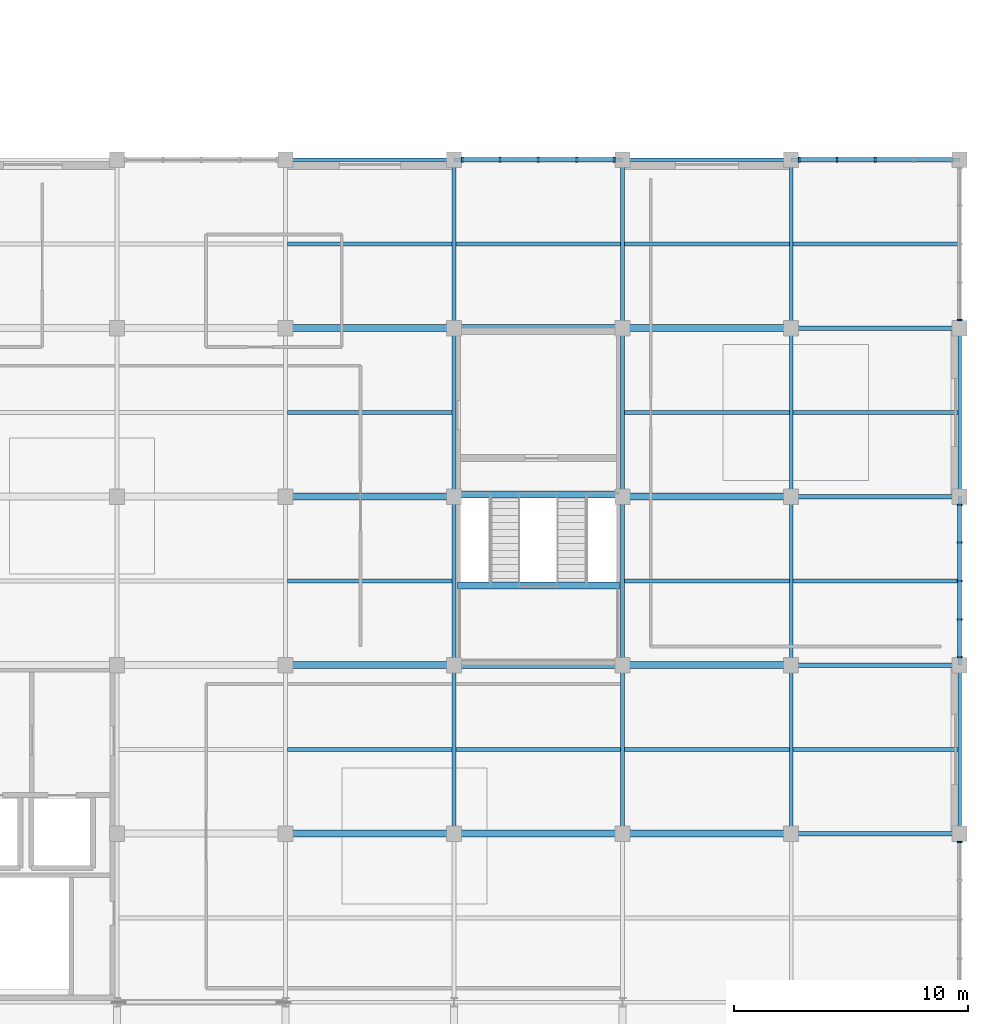
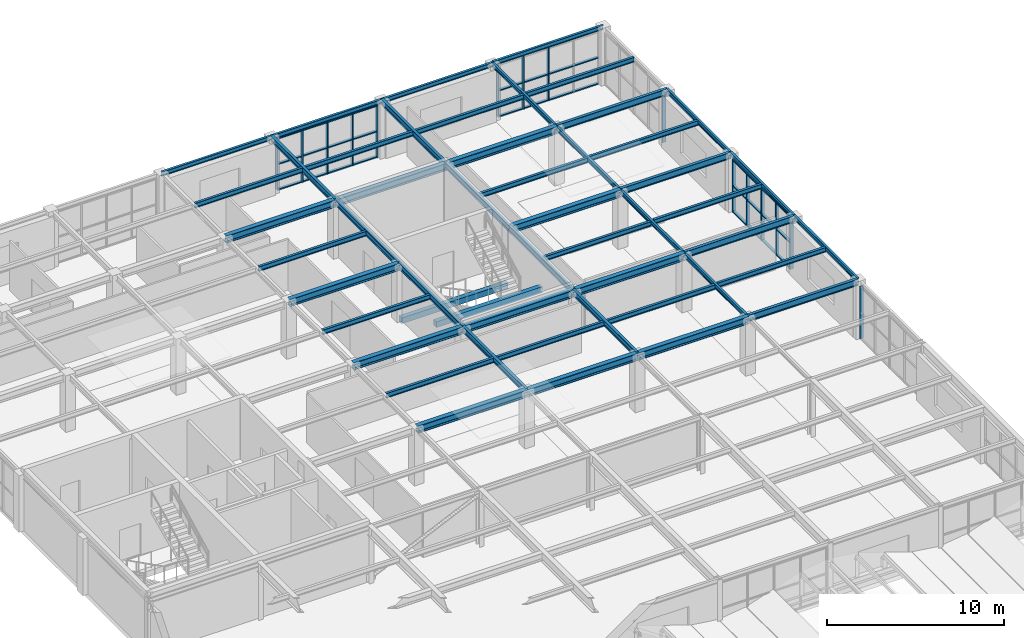
# One storey, part 40 of 83: 50 beams, 23 members, 5 elements without a shape of their own.
"""IFC4 building model written with IfcOpenShell, lengths in metres."""

from ifc_helpers import new_model, si_unit, direction, frame, origin, origin_2d, place, context, subcontext, project, spatial, rectangle, i_section, extrude, material, material_profile, profile_set, type_object, element, aggregate, save


model = new_model("IFC4")

# Units and contexts
model_context = context("Model", 3, precision=1e-05, world=origin(), true_north=direction((0.0, 1.0)))
body_context = subcontext(model_context, "Body", "Model", "MODEL_VIEW")
ifc_project = project(units=[si_unit("LENGTHUNIT", "METRE"), si_unit("AREAUNIT", "SQUARE_METRE"), si_unit("VOLUMEUNIT", "CUBIC_METRE"), si_unit("PLANEANGLEUNIT", "RADIAN"), si_unit("MASSUNIT", "GRAM", prefix="KILO")], contexts=[model_context])

# Site, building, storey
site_placement = place(None, origin())
site = spatial("IfcSite", under=ifc_project, at=site_placement, CompositionType="ELEMENT")
building_placement = place(site_placement, origin())
building = spatial("IfcBuilding", under=site, at=building_placement, Name="Leyfeld Transit Interchange", CompositionType="ELEMENT")
storey_placement = place(building_placement, frame((0.0, 0.0, 5.39990234375)))
storey = spatial("IfcBuildingStorey", under=building, at=storey_placement, Name="L01", CompositionType="ELEMENT", Elevation=5.39990234375)

# Beams
ifc_material_1 = material(Name="Concrete C35/45", Category="concrete")
ifc_material_profile_1 = material_profile(ifc_material_1, rectangle(XDim=0.300048828125, YDim=0.39990234375, at=origin_2d()), Name="RC 400x300")
ifc_profile_set_1 = profile_set([ifc_material_profile_1], Name="Concrete C35/45")
beam_type_1 = type_object("IfcBeamType", Name="BM-RC-400x300", PredefinedType="LINTEL", material=ifc_profile_set_1)
for number, where, z_axis, x_axis, name in (
    (1, (165.735107421875, 79.300048828125, -0.199951171875), (1.0, 0.0, 0.0), (0.0, 1.0, 0.0), "Core K5 Floor Landing Corbel L01"),
    (2, (165.735107421875, 75.39990234375, 1.900146484375), (1.0, 0.0, 0.0), (0.0, 1.0, 0.0), "Stair ST-05 L01 Half-Landing Corbel"),
):
    element("IfcBeam", number, at=place(storey_placement, frame(where, z_axis=z_axis, x_axis=x_axis)), inside=storey, type_object=beam_type_1, Name=name, PredefinedType="LINTEL", context=body_context, shape_type="SweptSolid", body=[
        extrude(rectangle(XDim=0.300048828125, YDim=0.39990234375, at=origin_2d()), origin(), (0.0, 0.0, 1.0), 6.929931640625),
    ])
ifc_material_2 = material(Name="Steel S355J2", Category="steel")
ifc_material_profile_2 = material_profile(ifc_material_2, i_section(OverallWidth=0.300048828125, OverallDepth=0.5, WebThickness=0.014404296875, FlangeThickness=0.028076171875, FilletRadius=0.027099609375, at=origin_2d()), Name="HEB 500")
ifc_profile_set_2 = profile_set([ifc_material_profile_2], Name="Steel S355J2")
beam_type_2 = type_object("IfcBeamType", Name="BM-STL-HEB500", PredefinedType="JOIST", material=ifc_profile_set_2)
beam_1_placement = place(storey_placement, frame((158.39990234375, 64.800048828125, 3.650146484375), z_axis=(1.0, 0.0, 0.0), x_axis=(0.0, 1.0, 0.0)))
element("IfcBeam", 3, at=beam_1_placement, inside=storey, type_object=beam_type_2, Name="Beam BM-L01-1584_0648-1656_0648", PredefinedType="JOIST", context=body_context, shape_type="SweptSolid", body=[
    extrude(i_section(OverallWidth=0.300048828125, OverallDepth=0.5, WebThickness=0.014404296875, FlangeThickness=0.028076171875, FilletRadius=0.027099609375, at=origin_2d()), origin(), (0.0, 0.0, 1.0), 7.2001953125),
])
for number, where, z_axis, x_axis, name in (
    (4, (165.60009765625, 64.800048828125, 3.650146484375), (1.0, 0.0, 0.0), (0.0, 1.0, 0.0), "Beam BM-L01-1656_0648-1728_0648"),
    (5, (172.800048828125, 64.800048828125, 3.650146484375), (1.0, 0.0, 0.0), (0.0, 1.0, 0.0), "Beam BM-L01-1728_0648-1800_0648"),
):
    element("IfcBeam", number, at=place(storey_placement, frame(where, z_axis=z_axis, x_axis=x_axis)), inside=storey, type_object=beam_type_2, Name=name, PredefinedType="JOIST", context=body_context, shape_type="SweptSolid", body=[
        extrude(i_section(OverallWidth=0.300048828125, OverallDepth=0.5, WebThickness=0.014404296875, FlangeThickness=0.028076171875, FilletRadius=0.027099609375, at=origin_2d()), origin(), (0.0, 0.0, 1.0), 7.199951171875),
    ])
beam_2_placement = place(storey_placement, frame((158.39990234375, 72.0, 3.650146484375), z_axis=(1.0, 0.0, 0.0), x_axis=(0.0, 1.0, 0.0)))
element("IfcBeam", 6, at=beam_2_placement, inside=storey, type_object=beam_type_2, Name="Beam BM-L01-1584_0720-1656_0720", PredefinedType="JOIST", context=body_context, shape_type="SweptSolid", body=[
    extrude(i_section(OverallWidth=0.300048828125, OverallDepth=0.5, WebThickness=0.014404296875, FlangeThickness=0.028076171875, FilletRadius=0.027099609375, at=origin_2d()), origin(), (0.0, 0.0, 1.0), 7.2001953125),
])
for number, where, z_axis, x_axis, name in (
    (7, (165.60009765625, 72.0, 3.650146484375), (1.0, 0.0, 0.0), (0.0, 1.0, 0.0), "Beam BM-L01-1656_0720-1728_0720"),
    (8, (172.800048828125, 72.0, 3.650146484375), (1.0, 0.0, 0.0), (0.0, 1.0, 0.0), "Beam BM-L01-1728_0720-1800_0720"),
):
    element("IfcBeam", number, at=place(storey_placement, frame(where, z_axis=z_axis, x_axis=x_axis)), inside=storey, type_object=beam_type_2, Name=name, PredefinedType="JOIST", context=body_context, shape_type="SweptSolid", body=[
        extrude(i_section(OverallWidth=0.300048828125, OverallDepth=0.5, WebThickness=0.014404296875, FlangeThickness=0.028076171875, FilletRadius=0.027099609375, at=origin_2d()), origin(), (0.0, 0.0, 1.0), 7.199951171875),
    ])
beam_3_placement = place(storey_placement, frame((158.39990234375, 79.199951171875, 3.650146484375), z_axis=(1.0, 0.0, 0.0), x_axis=(0.0, 1.0, 0.0)))
element("IfcBeam", 9, at=beam_3_placement, inside=storey, type_object=beam_type_2, Name="Beam BM-L01-1584_0792-1656_0792", PredefinedType="JOIST", context=body_context, shape_type="SweptSolid", body=[
    extrude(i_section(OverallWidth=0.300048828125, OverallDepth=0.5, WebThickness=0.014404296875, FlangeThickness=0.028076171875, FilletRadius=0.027099609375, at=origin_2d()), origin(), (0.0, 0.0, 1.0), 7.2001953125),
])
beam_4_placement = place(storey_placement, frame((172.800048828125, 79.199951171875, 3.650146484375), z_axis=(1.0, 0.0, 0.0), x_axis=(0.0, 1.0, 0.0)))
element("IfcBeam", 10, at=beam_4_placement, inside=storey, type_object=beam_type_2, Name="Beam BM-L01-1728_0792-1800_0792", PredefinedType="JOIST", context=body_context, shape_type="SweptSolid", body=[
    extrude(i_section(OverallWidth=0.300048828125, OverallDepth=0.5, WebThickness=0.014404296875, FlangeThickness=0.028076171875, FilletRadius=0.027099609375, at=origin_2d()), origin(), (0.0, 0.0, 1.0), 7.199951171875),
])
beam_5_placement = place(storey_placement, frame((158.39990234375, 86.39990234375, 3.650146484375), z_axis=(1.0, 0.0, 0.0), x_axis=(0.0, 1.0, 0.0)))
element("IfcBeam", 11, at=beam_5_placement, inside=storey, type_object=beam_type_2, Name="Beam BM-L01-1584_0864-1656_0864", PredefinedType="JOIST", context=body_context, shape_type="SweptSolid", body=[
    extrude(i_section(OverallWidth=0.300048828125, OverallDepth=0.5, WebThickness=0.014404296875, FlangeThickness=0.028076171875, FilletRadius=0.027099609375, at=origin_2d()), origin(), (0.0, 0.0, 1.0), 7.2001953125),
])
for number, where, z_axis, x_axis, name in (
    (12, (165.60009765625, 86.39990234375, 3.650146484375), (1.0, 0.0, 0.0), (0.0, 1.0, 0.0), "Beam BM-L01-1656_0864-1728_0864"),
    (13, (172.800048828125, 86.39990234375, 3.650146484375), (1.0, 0.0, 0.0), (0.0, 1.0, 0.0), "Beam BM-L01-1728_0864-1800_0864"),
):
    element("IfcBeam", number, at=place(storey_placement, frame(where, z_axis=z_axis, x_axis=x_axis)), inside=storey, type_object=beam_type_2, Name=name, PredefinedType="JOIST", context=body_context, shape_type="SweptSolid", body=[
        extrude(i_section(OverallWidth=0.300048828125, OverallDepth=0.5, WebThickness=0.014404296875, FlangeThickness=0.028076171875, FilletRadius=0.027099609375, at=origin_2d()), origin(), (0.0, 0.0, 1.0), 7.199951171875),
    ])
ifc_material_profile_3 = material_profile(ifc_material_2, i_section(OverallWidth=0.14990234375, OverallDepth=0.300048828125, WebThickness=0.007080078125, FlangeThickness=0.0107421875, FilletRadius=0.014892578125, at=origin_2d()), Name="IPE 300")
ifc_profile_set_3 = profile_set([ifc_material_profile_3], Name="Steel S355J2")
beam_type_3 = type_object("IfcBeamType", Name="BM-STL-IPE300", PredefinedType="SPANDREL", material=ifc_profile_set_3)
for number, where, z_axis, x_axis, name in (
    (14, (180.0, 64.800048828125, 3.75), (0.0, 1.0, 0.0), (-1.0, 0.0, 0.0), "Beam BM-L01-1800_0648-1800_0720"),
    (15, (180.0, 72.0, 3.75), (0.0, 1.0, 0.0), (-1.0, 0.0, 0.0), "Beam BM-L01-1800_0720-1800_0792"),
    (16, (180.0, 79.199951171875, 3.75), (0.0, 1.0, 0.0), (-1.0, 0.0, 0.0), "Beam BM-L01-1800_0792-1800_0864"),
):
    element("IfcBeam", number, at=place(storey_placement, frame(where, z_axis=z_axis, x_axis=x_axis)), inside=storey, type_object=beam_type_3, Name=name, PredefinedType="SPANDREL", context=body_context, shape_type="SweptSolid", body=[
        extrude(i_section(OverallWidth=0.14990234375, OverallDepth=0.300048828125, WebThickness=0.007080078125, FlangeThickness=0.0107421875, FilletRadius=0.014892578125, at=origin_2d()), origin(), (0.0, 0.0, 1.0), 7.199951171875),
    ])
for number, where, z_axis, x_axis, name in (
    (17, (180.0, 86.39990234375, 3.75), (0.0, 1.0, 0.0), (-1.0, 0.0, 0.0), "Beam BM-L01-1800_0864-1800_0936"),
    (18, (158.39990234375, 93.60009765625, 3.75), (1.0, 0.0, 0.0), (0.0, 1.0, 0.0), "Beam BM-L01-1584_0936-1656_0936"),
):
    element("IfcBeam", number, at=place(storey_placement, frame(where, z_axis=z_axis, x_axis=x_axis)), inside=storey, type_object=beam_type_3, Name=name, PredefinedType="SPANDREL", context=body_context, shape_type="SweptSolid", body=[
        extrude(i_section(OverallWidth=0.14990234375, OverallDepth=0.300048828125, WebThickness=0.007080078125, FlangeThickness=0.0107421875, FilletRadius=0.014892578125, at=origin_2d()), origin(), (0.0, 0.0, 1.0), 7.2001953125),
    ])
for number, where, z_axis, x_axis, name in (
    (19, (165.60009765625, 93.60009765625, 3.75), (1.0, 0.0, 0.0), (0.0, 1.0, 0.0), "Beam BM-L01-1656_0936-1728_0936"),
    (20, (172.800048828125, 93.60009765625, 3.75), (1.0, 0.0, 0.0), (0.0, 1.0, 0.0), "Beam BM-L01-1728_0936-1800_0936"),
    (21, (187.199951171875, 64.800048828125, 3.800048828125), (0.0, 1.0, 0.0), (-1.0, 0.0, 0.0), "Beam BM-L01-1872_0648-1872_0720"),
    (22, (187.199951171875, 72.0, 3.800048828125), (0.0, 1.0, 0.0), (-1.0, 0.0, 0.0), "Beam BM-L01-1872_0720-1872_0792"),
    (23, (187.199951171875, 79.199951171875, 3.800048828125), (0.0, 1.0, 0.0), (-1.0, 0.0, 0.0), "Beam BM-L01-1872_0792-1872_0864"),
    (24, (180.0, 93.60009765625, 3.800048828125), (1.0, 0.0, 0.0), (0.0, 1.0, 0.0), "Beam BM-L01-1800_0936-1872_0936"),
):
    element("IfcBeam", number, at=place(storey_placement, frame(where, z_axis=z_axis, x_axis=x_axis)), inside=storey, type_object=beam_type_3, Name=name, PredefinedType="SPANDREL", context=body_context, shape_type="SweptSolid", body=[
        extrude(i_section(OverallWidth=0.14990234375, OverallDepth=0.300048828125, WebThickness=0.007080078125, FlangeThickness=0.0107421875, FilletRadius=0.014892578125, at=origin_2d()), origin(), (0.0, 0.0, 1.0), 7.199951171875),
    ])
ifc_material_profile_4 = material_profile(ifc_material_2, i_section(OverallWidth=0.159912109375, OverallDepth=0.330078125, WebThickness=0.007568359375, FlangeThickness=0.011474609375, FilletRadius=0.01806640625, at=origin_2d()), Name="IPE 330")
ifc_profile_set_4 = profile_set([ifc_material_profile_4], Name="Steel S355J2")
beam_type_4 = type_object("IfcBeamType", Name="BM-STL-IPE330", PredefinedType="BEAM", material=ifc_profile_set_4)
for number, where, z_axis, x_axis, name in (
    (25, (158.487060546875, 68.39990234375, 3.735107421875), (1.0, 0.0, 0.0), (0.0, 1.0, 0.0), "Beam BM-L01-1585_0684-1655_0684"),
    (26, (165.68701171875, 68.39990234375, 3.735107421875), (1.0, 0.0, 0.0), (0.0, 1.0, 0.0), "Beam BM-L01-1657_0684-1727_0684"),
):
    element("IfcBeam", number, at=place(storey_placement, frame(where, z_axis=z_axis, x_axis=x_axis)), inside=storey, type_object=beam_type_4, Name=name, PredefinedType="BEAM", context=body_context, shape_type="SweptSolid", body=[
        extrude(i_section(OverallWidth=0.159912109375, OverallDepth=0.330078125, WebThickness=0.007568359375, FlangeThickness=0.011474609375, FilletRadius=0.01806640625, at=origin_2d()), origin(), (0.0, 0.0, 1.0), 7.02587890625),
    ])
beam_6_placement = place(storey_placement, frame((172.886962890625, 68.39990234375, 3.735107421875), z_axis=(1.0, 0.0, 0.0), x_axis=(0.0, 1.0, 0.0)))
element("IfcBeam", 27, at=beam_6_placement, inside=storey, type_object=beam_type_4, Name="Beam BM-L01-1729_0684-1799_0684", PredefinedType="BEAM", context=body_context, shape_type="SweptSolid", body=[
    extrude(i_section(OverallWidth=0.159912109375, OverallDepth=0.330078125, WebThickness=0.007568359375, FlangeThickness=0.011474609375, FilletRadius=0.01806640625, at=origin_2d()), origin(), (0.0, 0.0, 1.0), 7.041015625),
])
beam_7_placement = place(storey_placement, frame((158.487060546875, 75.60009765625, 3.735107421875), z_axis=(1.0, 0.0, 0.0), x_axis=(0.0, 1.0, 0.0)))
element("IfcBeam", 28, at=beam_7_placement, inside=storey, type_object=beam_type_4, Name="Beam BM-L01-1585_0756-1655_0756", PredefinedType="BEAM", context=body_context, shape_type="SweptSolid", body=[
    extrude(i_section(OverallWidth=0.159912109375, OverallDepth=0.330078125, WebThickness=0.007568359375, FlangeThickness=0.011474609375, FilletRadius=0.01806640625, at=origin_2d()), origin(), (0.0, 0.0, 1.0), 7.02587890625),
])
beam_8_placement = place(storey_placement, frame((172.886962890625, 75.60009765625, 3.735107421875), z_axis=(1.0, 0.0, 0.0), x_axis=(0.0, 1.0, 0.0)))
element("IfcBeam", 29, at=beam_8_placement, inside=storey, type_object=beam_type_4, Name="Beam BM-L01-1729_0756-1799_0756", PredefinedType="BEAM", context=body_context, shape_type="SweptSolid", body=[
    extrude(i_section(OverallWidth=0.159912109375, OverallDepth=0.330078125, WebThickness=0.007568359375, FlangeThickness=0.011474609375, FilletRadius=0.01806640625, at=origin_2d()), origin(), (0.0, 0.0, 1.0), 7.041015625),
])
beam_9_placement = place(storey_placement, frame((158.487060546875, 82.800048828125, 3.735107421875), z_axis=(1.0, 0.0, 0.0), x_axis=(0.0, 1.0, 0.0)))
element("IfcBeam", 30, at=beam_9_placement, inside=storey, type_object=beam_type_4, Name="Beam BM-L01-1585_0828-1655_0828", PredefinedType="BEAM", context=body_context, shape_type="SweptSolid", body=[
    extrude(i_section(OverallWidth=0.159912109375, OverallDepth=0.330078125, WebThickness=0.007568359375, FlangeThickness=0.011474609375, FilletRadius=0.01806640625, at=origin_2d()), origin(), (0.0, 0.0, 1.0), 7.02587890625),
])
beam_10_placement = place(storey_placement, frame((172.886962890625, 82.800048828125, 3.735107421875), z_axis=(1.0, 0.0, 0.0), x_axis=(0.0, 1.0, 0.0)))
element("IfcBeam", 31, at=beam_10_placement, inside=storey, type_object=beam_type_4, Name="Beam BM-L01-1729_0828-1799_0828", PredefinedType="BEAM", context=body_context, shape_type="SweptSolid", body=[
    extrude(i_section(OverallWidth=0.159912109375, OverallDepth=0.330078125, WebThickness=0.007568359375, FlangeThickness=0.011474609375, FilletRadius=0.01806640625, at=origin_2d()), origin(), (0.0, 0.0, 1.0), 7.041015625),
])
for number, where, z_axis, x_axis, name in (
    (32, (158.487060546875, 90.0, 3.735107421875), (1.0, 0.0, 0.0), (0.0, 1.0, 0.0), "Beam BM-L01-1585_0900-1655_0900"),
    (33, (165.68701171875, 90.0, 3.735107421875), (1.0, 0.0, 0.0), (0.0, 1.0, 0.0), "Beam BM-L01-1657_0900-1727_0900"),
):
    element("IfcBeam", number, at=place(storey_placement, frame(where, z_axis=z_axis, x_axis=x_axis)), inside=storey, type_object=beam_type_4, Name=name, PredefinedType="BEAM", context=body_context, shape_type="SweptSolid", body=[
        extrude(i_section(OverallWidth=0.159912109375, OverallDepth=0.330078125, WebThickness=0.007568359375, FlangeThickness=0.011474609375, FilletRadius=0.01806640625, at=origin_2d()), origin(), (0.0, 0.0, 1.0), 7.02587890625),
    ])
beam_11_placement = place(storey_placement, frame((172.886962890625, 90.0, 3.735107421875), z_axis=(1.0, 0.0, 0.0), x_axis=(0.0, 1.0, 0.0)))
element("IfcBeam", 34, at=beam_11_placement, inside=storey, type_object=beam_type_4, Name="Beam BM-L01-1729_0900-1799_0900", PredefinedType="BEAM", context=body_context, shape_type="SweptSolid", body=[
    extrude(i_section(OverallWidth=0.159912109375, OverallDepth=0.330078125, WebThickness=0.007568359375, FlangeThickness=0.011474609375, FilletRadius=0.01806640625, at=origin_2d()), origin(), (0.0, 0.0, 1.0), 7.041015625),
])
for number, where, z_axis, x_axis, name in (
    (35, (180.072021484375, 68.39990234375, 3.78515625), (1.0, 0.0, 0.0), (0.0, 1.0, 0.0), "Beam BM-L01-1801_0684-1871_0684"),
    (36, (180.072021484375, 75.60009765625, 3.78515625), (1.0, 0.0, 0.0), (0.0, 1.0, 0.0), "Beam BM-L01-1801_0756-1871_0756"),
    (37, (180.072021484375, 82.800048828125, 3.78515625), (1.0, 0.0, 0.0), (0.0, 1.0, 0.0), "Beam BM-L01-1801_0828-1871_0828"),
    (38, (180.072021484375, 90.0, 3.78515625), (1.0, 0.0, 0.0), (0.0, 1.0, 0.0), "Beam BM-L01-1801_0900-1871_0900"),
):
    element("IfcBeam", number, at=place(storey_placement, frame(where, z_axis=z_axis, x_axis=x_axis)), inside=storey, type_object=beam_type_4, Name=name, PredefinedType="BEAM", context=body_context, shape_type="SweptSolid", body=[
        extrude(i_section(OverallWidth=0.159912109375, OverallDepth=0.330078125, WebThickness=0.007568359375, FlangeThickness=0.011474609375, FilletRadius=0.01806640625, at=origin_2d()), origin(), (0.0, 0.0, 1.0), 7.055908203125),
    ])
ifc_material_profile_5 = material_profile(ifc_material_2, i_section(OverallWidth=0.179931640625, OverallDepth=0.39990234375, WebThickness=0.008544921875, FlangeThickness=0.013427734375, FilletRadius=0.02099609375, at=origin_2d()), Name="IPE 400")
ifc_profile_set_5 = profile_set([ifc_material_profile_5], Name="Steel S355J2")
beam_type_5 = type_object("IfcBeamType", Name="BM-STL-IPE400", PredefinedType="BEAM", material=ifc_profile_set_5)
for number, where, z_axis, x_axis, name in (
    (39, (165.60009765625, 64.800048828125, 3.7001953125), (0.0, 1.0, 0.0), (-1.0, 0.0, 0.0), "Beam BM-L01-1656_0648-1656_0720"),
    (40, (165.60009765625, 72.0, 3.7001953125), (0.0, 1.0, 0.0), (-1.0, 0.0, 0.0), "Beam BM-L01-1656_0720-1656_0792"),
    (41, (165.60009765625, 79.199951171875, 3.7001953125), (0.0, 1.0, 0.0), (-1.0, 0.0, 0.0), "Beam BM-L01-1656_0792-1656_0864"),
):
    element("IfcBeam", number, at=place(storey_placement, frame(where, z_axis=z_axis, x_axis=x_axis)), inside=storey, type_object=beam_type_5, Name=name, PredefinedType="BEAM", context=body_context, shape_type="SweptSolid", body=[
        extrude(i_section(OverallWidth=0.179931640625, OverallDepth=0.39990234375, WebThickness=0.008544921875, FlangeThickness=0.013427734375, FilletRadius=0.02099609375, at=origin_2d()), origin(), (0.0, 0.0, 1.0), 7.199951171875),
    ])
beam_12_placement = place(storey_placement, frame((165.60009765625, 86.39990234375, 3.7001953125), z_axis=(0.0, 1.0, 0.0), x_axis=(-1.0, 0.0, 0.0)))
element("IfcBeam", 42, at=beam_12_placement, inside=storey, type_object=beam_type_5, Name="Beam BM-L01-1656_0864-1656_0936", PredefinedType="BEAM", context=body_context, shape_type="SweptSolid", body=[
    extrude(i_section(OverallWidth=0.179931640625, OverallDepth=0.39990234375, WebThickness=0.008544921875, FlangeThickness=0.013427734375, FilletRadius=0.02099609375, at=origin_2d()), origin(), (0.0, 0.0, 1.0), 7.2001953125),
])
for number, where, z_axis, x_axis, name in (
    (43, (172.800048828125, 64.800048828125, 3.7001953125), (0.0, 1.0, 0.0), (-1.0, 0.0, 0.0), "Beam BM-L01-1728_0648-1728_0720"),
    (44, (172.800048828125, 72.0, 3.7001953125), (0.0, 1.0, 0.0), (-1.0, 0.0, 0.0), "Beam BM-L01-1728_0720-1728_0792"),
    (45, (172.800048828125, 79.199951171875, 3.7001953125), (0.0, 1.0, 0.0), (-1.0, 0.0, 0.0), "Beam BM-L01-1728_0792-1728_0864"),
):
    element("IfcBeam", number, at=place(storey_placement, frame(where, z_axis=z_axis, x_axis=x_axis)), inside=storey, type_object=beam_type_5, Name=name, PredefinedType="BEAM", context=body_context, shape_type="SweptSolid", body=[
        extrude(i_section(OverallWidth=0.179931640625, OverallDepth=0.39990234375, WebThickness=0.008544921875, FlangeThickness=0.013427734375, FilletRadius=0.02099609375, at=origin_2d()), origin(), (0.0, 0.0, 1.0), 7.199951171875),
    ])
beam_13_placement = place(storey_placement, frame((172.800048828125, 86.39990234375, 3.7001953125), z_axis=(0.0, 1.0, 0.0), x_axis=(-1.0, 0.0, 0.0)))
element("IfcBeam", 46, at=beam_13_placement, inside=storey, type_object=beam_type_5, Name="Beam BM-L01-1728_0864-1728_0936", PredefinedType="BEAM", context=body_context, shape_type="SweptSolid", body=[
    extrude(i_section(OverallWidth=0.179931640625, OverallDepth=0.39990234375, WebThickness=0.008544921875, FlangeThickness=0.013427734375, FilletRadius=0.02099609375, at=origin_2d()), origin(), (0.0, 0.0, 1.0), 7.2001953125),
])
ifc_material_profile_6 = material_profile(ifc_material_2, i_section(OverallWidth=0.18994140625, OverallDepth=0.449951171875, WebThickness=0.009521484375, FlangeThickness=0.0146484375, FilletRadius=0.02099609375, at=origin_2d()), Name="IPE 450")
ifc_profile_set_6 = profile_set([ifc_material_profile_6], Name="Steel S355J2")
beam_type_6 = type_object("IfcBeamType", Name="BM-STL-IPE450", PredefinedType="BEAM", material=ifc_profile_set_6)
for number, where, z_axis, x_axis, name in (
    (47, (180.0, 64.800048828125, 3.72509765625), (1.0, 0.0, 0.0), (0.0, 1.0, 0.0), "Beam BM-L01-1800_0648-1872_0648"),
    (48, (180.0, 72.0, 3.72509765625), (1.0, 0.0, 0.0), (0.0, 1.0, 0.0), "Beam BM-L01-1800_0720-1872_0720"),
    (49, (180.0, 79.199951171875, 3.72509765625), (1.0, 0.0, 0.0), (0.0, 1.0, 0.0), "Beam BM-L01-1800_0792-1872_0792"),
    (50, (180.0, 86.39990234375, 3.72509765625), (1.0, 0.0, 0.0), (0.0, 1.0, 0.0), "Beam BM-L01-1800_0864-1872_0864"),
):
    element("IfcBeam", number, at=place(storey_placement, frame(where, z_axis=z_axis, x_axis=x_axis)), inside=storey, type_object=beam_type_6, Name=name, PredefinedType="BEAM", context=body_context, shape_type="SweptSolid", body=[
        extrude(i_section(OverallWidth=0.18994140625, OverallDepth=0.449951171875, WebThickness=0.009521484375, FlangeThickness=0.0146484375, FilletRadius=0.02099609375, at=origin_2d()), origin(), (0.0, 0.0, 1.0), 7.199951171875),
    ])

# Curtain wall, members
ifc_material_3 = material(Name="Anodised aluminium EN AW-6060 T66", Category="aluminium")
curtain_wall_type = type_object("IfcCurtainWallType", Name="CW-SYS-BUS-7200", PredefinedType="NOTDEFINED", material=ifc_material_3)
curtain_wall_1_placement = place(storey_placement, origin())
curtain_wall_1 = element("IfcCurtainWall", 51, at=curtain_wall_1_placement, inside=storey, type_object=curtain_wall_type, Name="Curtain Wall CW-L01-090", PredefinedType="NOTDEFINED")
ifc_material_profile_7 = material_profile(ifc_material_3, rectangle(XDim=0.074951171875, YDim=0.219970703125, at=origin_2d()), Name="CW-M 75x220")
ifc_profile_set_7 = profile_set([ifc_material_profile_7], Name="Anodised aluminium EN AW-6060 T66")
member_type_1 = type_object("IfcMemberType", Name="CW-MUL-180x70", PredefinedType="MULLION", material=ifc_profile_set_7)
member_1_placement = place(storey_placement, frame((165.952392578125, 93.60009765625, 0.0), z_axis=(0.0, 0.0, 1.0), x_axis=(1.0, 0.0, 0.0)))
member_1 = element("IfcMember", 52, at=member_1_placement, type_object=member_type_1, Name="Curtain Mullion CW-L01-090-M01", PredefinedType="MULLION", context=body_context, shape_type="SweptSolid", body=[
    extrude(rectangle(XDim=0.074951171875, YDim=0.219970703125, at=origin_2d()), origin(), (0.0, 0.0, 1.0), 3.60009765625),
])
member_2_placement = place(storey_placement, frame((167.5576171875, 93.60009765625, 0.0), z_axis=(0.0, 0.0, 1.0), x_axis=(1.0, 0.0, 0.0)))
member_2 = element("IfcMember", 53, at=member_2_placement, type_object=member_type_1, Name="Curtain Mullion CW-L01-090-M02", PredefinedType="MULLION", context=body_context, shape_type="SweptSolid", body=[
    extrude(rectangle(XDim=0.074951171875, YDim=0.219970703125, at=origin_2d()), origin(), (0.0, 0.0, 1.0), 3.60009765625),
])
member_3_placement = place(storey_placement, frame((169.199951171875, 93.60009765625, 0.0), z_axis=(0.0, 0.0, 1.0), x_axis=(1.0, 0.0, 0.0)))
member_3 = element("IfcMember", 54, at=member_3_placement, type_object=member_type_1, Name="Curtain Mullion CW-L01-090-M03", PredefinedType="MULLION", context=body_context, shape_type="SweptSolid", body=[
    extrude(rectangle(XDim=0.074951171875, YDim=0.219970703125, at=origin_2d()), origin(), (0.0, 0.0, 1.0), 3.60009765625),
])
member_4_placement = place(storey_placement, frame((170.842529296875, 93.60009765625, 0.0), z_axis=(0.0, 0.0, 1.0), x_axis=(1.0, 0.0, 0.0)))
member_4 = element("IfcMember", 55, at=member_4_placement, type_object=member_type_1, Name="Curtain Mullion CW-L01-090-M04", PredefinedType="MULLION", context=body_context, shape_type="SweptSolid", body=[
    extrude(rectangle(XDim=0.074951171875, YDim=0.219970703125, at=origin_2d()), origin(), (0.0, 0.0, 1.0), 3.60009765625),
])
member_5_placement = place(storey_placement, frame((172.447509765625, 93.60009765625, 0.0), z_axis=(0.0, 0.0, 1.0), x_axis=(1.0, 0.0, 0.0)))
member_5 = element("IfcMember", 56, at=member_5_placement, type_object=member_type_1, Name="Curtain Mullion CW-L01-090-M05", PredefinedType="MULLION", context=body_context, shape_type="SweptSolid", body=[
    extrude(rectangle(XDim=0.074951171875, YDim=0.219970703125, at=origin_2d()), origin(), (0.0, 0.0, 1.0), 3.60009765625),
])

curtain_wall_2_placement = place(storey_placement, origin())
curtain_wall_2 = element("IfcCurtainWall", 57, at=curtain_wall_2_placement, inside=storey, type_object=curtain_wall_type, Name="Curtain Wall CW-L01-091", PredefinedType="NOTDEFINED")
member_6_placement = place(storey_placement, frame((180.3525390625, 93.60009765625, 0.0), z_axis=(0.0, 0.0, 1.0), x_axis=(1.0, 0.0, 0.0)))
member_6 = element("IfcMember", 58, at=member_6_placement, type_object=member_type_1, Name="Curtain Mullion CW-L01-091-M01", PredefinedType="MULLION", context=body_context, shape_type="SweptSolid", body=[
    extrude(rectangle(XDim=0.074951171875, YDim=0.219970703125, at=origin_2d()), origin(), (0.0, 0.0, 1.0), 3.650146484375),
])
member_7_placement = place(storey_placement, frame((181.95751953125, 93.60009765625, 0.0), z_axis=(0.0, 0.0, 1.0), x_axis=(1.0, 0.0, 0.0)))
member_7 = element("IfcMember", 59, at=member_7_placement, type_object=member_type_1, Name="Curtain Mullion CW-L01-091-M02", PredefinedType="MULLION", context=body_context, shape_type="SweptSolid", body=[
    extrude(rectangle(XDim=0.074951171875, YDim=0.219970703125, at=origin_2d()), origin(), (0.0, 0.0, 1.0), 3.650146484375),
])
member_8_placement = place(storey_placement, frame((183.60009765625, 93.60009765625, 0.0), z_axis=(0.0, 0.0, 1.0), x_axis=(1.0, 0.0, 0.0)))
member_8 = element("IfcMember", 60, at=member_8_placement, type_object=member_type_1, Name="Curtain Mullion CW-L01-091-M03", PredefinedType="MULLION", context=body_context, shape_type="SweptSolid", body=[
    extrude(rectangle(XDim=0.074951171875, YDim=0.219970703125, at=origin_2d()), origin(), (0.0, 0.0, 1.0), 3.650146484375),
])

# Curtain wall, member
curtain_wall_3_placement = place(storey_placement, origin())
curtain_wall_3 = element("IfcCurtainWall", 61, at=curtain_wall_3_placement, inside=storey, type_object=curtain_wall_type, Name="Curtain Wall CW-L01-092", PredefinedType="NOTDEFINED")
member_9_placement = place(storey_placement, frame((187.199951171875, 86.75244140625, 0.0), z_axis=(0.0, 0.0, 1.0), x_axis=(0.0, -1.0, 0.0)))
member_9 = element("IfcMember", 62, at=member_9_placement, type_object=member_type_1, Name="Curtain Mullion CW-L01-092-M05", PredefinedType="MULLION", context=body_context, shape_type="SweptSolid", body=[
    extrude(rectangle(XDim=0.074951171875, YDim=0.219970703125, at=origin_2d()), origin(), (0.0, 0.0, 1.0), 3.6201171875),
])
aggregate(curtain_wall_3, [member_9])

# Curtain wall, members
curtain_wall_4_placement = place(storey_placement, origin())
curtain_wall_4 = element("IfcCurtainWall", 63, at=curtain_wall_4_placement, inside=storey, type_object=curtain_wall_type, Name="Curtain Wall CW-L01-093", PredefinedType="NOTDEFINED")
member_10_placement = place(storey_placement, frame((187.199951171875, 78.847412109375, 0.0), z_axis=(0.0, 0.0, 1.0), x_axis=(0.0, -1.0, 0.0)))
member_10 = element("IfcMember", 64, at=member_10_placement, type_object=member_type_1, Name="Curtain Mullion CW-L01-093-M01", PredefinedType="MULLION", context=body_context, shape_type="SweptSolid", body=[
    extrude(rectangle(XDim=0.074951171875, YDim=0.219970703125, at=origin_2d()), origin(), (0.0, 0.0, 1.0), 3.6201171875),
])
member_11_placement = place(storey_placement, frame((187.199951171875, 77.242431640625, 0.0), z_axis=(0.0, 0.0, 1.0), x_axis=(0.0, -1.0, 0.0)))
member_11 = element("IfcMember", 65, at=member_11_placement, type_object=member_type_1, Name="Curtain Mullion CW-L01-093-M02", PredefinedType="MULLION", context=body_context, shape_type="SweptSolid", body=[
    extrude(rectangle(XDim=0.074951171875, YDim=0.219970703125, at=origin_2d()), origin(), (0.0, 0.0, 1.0), 3.6201171875),
])
member_12_placement = place(storey_placement, frame((187.199951171875, 75.60009765625, 0.0), z_axis=(0.0, 0.0, 1.0), x_axis=(0.0, -1.0, 0.0)))
member_12 = element("IfcMember", 66, at=member_12_placement, type_object=member_type_1, Name="Curtain Mullion CW-L01-093-M03", PredefinedType="MULLION", context=body_context, shape_type="SweptSolid", body=[
    extrude(rectangle(XDim=0.074951171875, YDim=0.219970703125, at=origin_2d()), origin(), (0.0, 0.0, 1.0), 3.6201171875),
])
member_13_placement = place(storey_placement, frame((187.199951171875, 73.95751953125, 0.0), z_axis=(0.0, 0.0, 1.0), x_axis=(0.0, -1.0, 0.0)))
member_13 = element("IfcMember", 67, at=member_13_placement, type_object=member_type_1, Name="Curtain Mullion CW-L01-093-M04", PredefinedType="MULLION", context=body_context, shape_type="SweptSolid", body=[
    extrude(rectangle(XDim=0.074951171875, YDim=0.219970703125, at=origin_2d()), origin(), (0.0, 0.0, 1.0), 3.6201171875),
])
member_14_placement = place(storey_placement, frame((187.199951171875, 72.3525390625, 0.0), z_axis=(0.0, 0.0, 1.0), x_axis=(0.0, -1.0, 0.0)))
member_14 = element("IfcMember", 68, at=member_14_placement, type_object=member_type_1, Name="Curtain Mullion CW-L01-093-M05", PredefinedType="MULLION", context=body_context, shape_type="SweptSolid", body=[
    extrude(rectangle(XDim=0.074951171875, YDim=0.219970703125, at=origin_2d()), origin(), (0.0, 0.0, 1.0), 3.6201171875),
])

# Curtain wall, member
curtain_wall_5_placement = place(storey_placement, origin())
curtain_wall_5 = element("IfcCurtainWall", 69, at=curtain_wall_5_placement, inside=storey, type_object=curtain_wall_type, Name="Curtain Wall CW-L01-094", PredefinedType="NOTDEFINED")
member_15_placement = place(storey_placement, frame((187.199951171875, 64.447509765625, 0.0), z_axis=(0.0, 0.0, 1.0), x_axis=(0.0, -1.0, 0.0)))
member_15 = element("IfcMember", 70, at=member_15_placement, type_object=member_type_1, Name="Curtain Mullion CW-L01-094-M01", PredefinedType="MULLION", context=body_context, shape_type="SweptSolid", body=[
    extrude(rectangle(XDim=0.074951171875, YDim=0.219970703125, at=origin_2d()), origin(), (0.0, 0.0, 1.0), 3.6201171875),
])
aggregate(curtain_wall_5, [member_15])

# Member
ifc_material_profile_8 = material_profile(ifc_material_3, rectangle(XDim=0.179931640625, YDim=0.074951171875, at=origin_2d()), Name="CW-TRN-160x70")
ifc_profile_set_8 = profile_set([ifc_material_profile_8], Name="Anodised aluminium EN AW-6060 T66")
member_type_2 = type_object("IfcMemberType", Name="CW-TRN-160x70", PredefinedType="USERDEFINED", material=ifc_profile_set_8)
member_16_placement = place(storey_placement, frame((165.9150390625, 93.60009765625, 0.03759765625), z_axis=(1.0, 0.0, 0.0), x_axis=(0.0, 1.0, 0.0)))
member_16 = element("IfcMember", 71, at=member_16_placement, type_object=member_type_2, Name="Curtain Transom CW-L01-090-T01", ObjectType="TRANSOM", PredefinedType="USERDEFINED", context=body_context, shape_type="SweptSolid", body=[
    extrude(rectangle(XDim=0.179931640625, YDim=0.074951171875, at=origin_2d()), origin(), (0.0, 0.0, 1.0), 6.570068359375),
])

member_17_placement = place(storey_placement, frame((165.9150390625, 93.60009765625, 1.800048828125), z_axis=(1.0, 0.0, 0.0), x_axis=(0.0, 1.0, 0.0)))
member_17 = element("IfcMember", 72, at=member_17_placement, type_object=member_type_2, Name="Curtain Transom CW-L01-090-T02", ObjectType="TRANSOM", PredefinedType="USERDEFINED", context=body_context, shape_type="SweptSolid", body=[
    extrude(rectangle(XDim=0.179931640625, YDim=0.074951171875, at=origin_2d()), origin(), (0.0, 0.0, 1.0), 6.570068359375),
])

member_18_placement = place(storey_placement, frame((165.9150390625, 93.60009765625, 3.5625), z_axis=(1.0, 0.0, 0.0), x_axis=(0.0, 1.0, 0.0)))
member_18 = element("IfcMember", 73, at=member_18_placement, type_object=member_type_2, Name="Curtain Transom CW-L01-090-T03", ObjectType="TRANSOM", PredefinedType="USERDEFINED", context=body_context, shape_type="SweptSolid", body=[
    extrude(rectangle(XDim=0.179931640625, YDim=0.074951171875, at=origin_2d()), origin(), (0.0, 0.0, 1.0), 6.570068359375),
])

aggregate(curtain_wall_1, [member_1, member_2, member_3, member_4, member_5, member_16, member_17, member_18])

member_19_placement = place(storey_placement, frame((180.31494140625, 93.60009765625, 0.03759765625), z_axis=(1.0, 0.0, 0.0), x_axis=(0.0, 1.0, 0.0)))
member_19 = element("IfcMember", 74, at=member_19_placement, type_object=member_type_2, Name="Curtain Transom CW-L01-091-T01", ObjectType="TRANSOM", PredefinedType="USERDEFINED", context=body_context, shape_type="SweptSolid", body=[
    extrude(rectangle(XDim=0.179931640625, YDim=0.074951171875, at=origin_2d()), origin(), (0.0, 0.0, 1.0), 6.570068359375),
])

member_20_placement = place(storey_placement, frame((180.31494140625, 93.60009765625, 1.8251953125), z_axis=(1.0, 0.0, 0.0), x_axis=(0.0, 1.0, 0.0)))
member_20 = element("IfcMember", 75, at=member_20_placement, type_object=member_type_2, Name="Curtain Transom CW-L01-091-T02", ObjectType="TRANSOM", PredefinedType="USERDEFINED", context=body_context, shape_type="SweptSolid", body=[
    extrude(rectangle(XDim=0.179931640625, YDim=0.074951171875, at=origin_2d()), origin(), (0.0, 0.0, 1.0), 6.570068359375),
])

aggregate(curtain_wall_2, [member_6, member_7, member_8, member_19, member_20])

member_21_placement = place(storey_placement, frame((187.199951171875, 78.885009765625, 0.03759765625), z_axis=(0.0, -1.0, 0.0), x_axis=(1.0, 0.0, 0.0)))
member_21 = element("IfcMember", 76, at=member_21_placement, type_object=member_type_2, Name="Curtain Transom CW-L01-093-T01", ObjectType="TRANSOM", PredefinedType="USERDEFINED", context=body_context, shape_type="SweptSolid", body=[
    extrude(rectangle(XDim=0.179931640625, YDim=0.074951171875, at=origin_2d()), origin(), (0.0, 0.0, 1.0), 6.570068359375),
])

member_22_placement = place(storey_placement, frame((187.199951171875, 78.885009765625, 1.81005859375), z_axis=(0.0, -1.0, 0.0), x_axis=(1.0, 0.0, 0.0)))
member_22 = element("IfcMember", 77, at=member_22_placement, type_object=member_type_2, Name="Curtain Transom CW-L01-093-T02", ObjectType="TRANSOM", PredefinedType="USERDEFINED", context=body_context, shape_type="SweptSolid", body=[
    extrude(rectangle(XDim=0.179931640625, YDim=0.074951171875, at=origin_2d()), origin(), (0.0, 0.0, 1.0), 6.570068359375),
])

member_23_placement = place(storey_placement, frame((187.199951171875, 78.885009765625, 3.58251953125), z_axis=(0.0, -1.0, 0.0), x_axis=(1.0, 0.0, 0.0)))
member_23 = element("IfcMember", 78, at=member_23_placement, type_object=member_type_2, Name="Curtain Transom CW-L01-093-T03", ObjectType="TRANSOM", PredefinedType="USERDEFINED", context=body_context, shape_type="SweptSolid", body=[
    extrude(rectangle(XDim=0.179931640625, YDim=0.074951171875, at=origin_2d()), origin(), (0.0, 0.0, 1.0), 6.570068359375),
])

aggregate(curtain_wall_4, [member_10, member_11, member_12, member_13, member_14, member_21, member_22, member_23])

save(model, "model.ifc")
